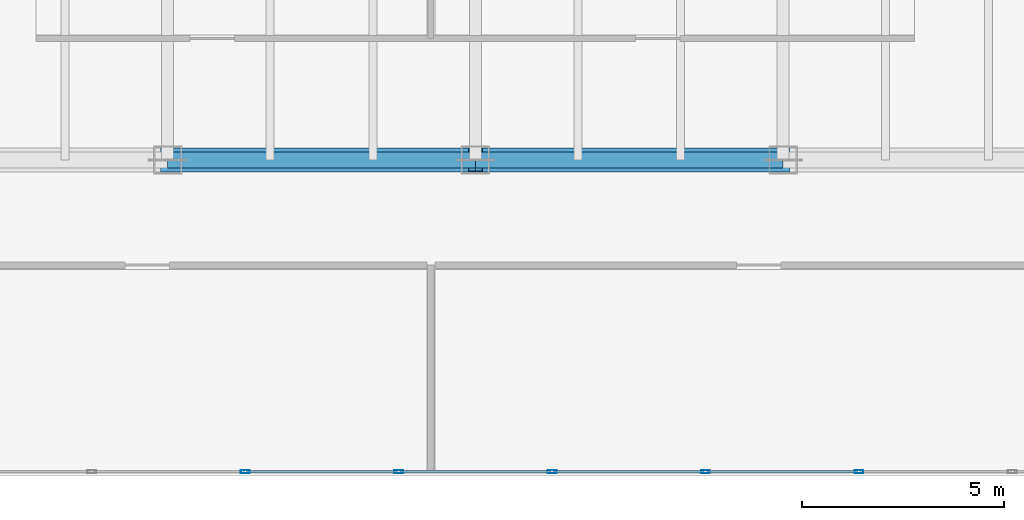
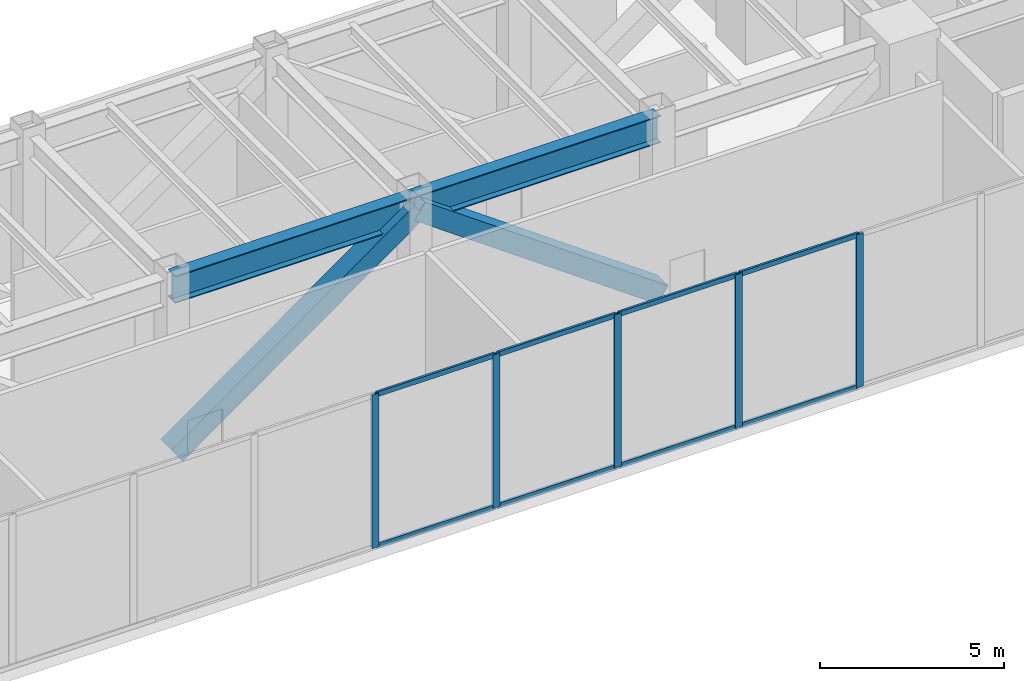
# One storey, part 8 of 35: 15 members, 2 beams, 1 element without a shape of its own.
"""IFC4 building model written with IfcOpenShell, lengths in metres."""

import ifcopenshell
import ifcopenshell.guid

model = None  # the IFC model being written
_history = None  # IfcOwnerHistory: only IFC2X3 demands one
_inside = {}  # id of a spatial element -> (the spatial element, [elements in it])
_under = {}  # id of a project, library or spatial element -> (it, [spatial elements below it])
_declared = {}  # id of a project -> (the project, [libraries it declares])
_typed = {}  # id of a type object -> (the type object, [elements of that type])
_made_of = {}  # id of a material, layer set ... -> (it, [elements and type objects made of it])


def new_model(schema):
    """Start an empty IFC model of exactly this schema.

    Asked for "IFC4X3", IfcOpenShell would pick the latest addendum, in which some entities
    have other attributes; the version numbers below select the first issue.
    IFC2X3 requires an IfcOwnerHistory on every rooted entity: one is made here for all.
    """
    global model, _history
    if schema == "IFC4X3":
        model = ifcopenshell.file(schema_version=(4, 3, 0, 0))
    else:
        model = ifcopenshell.file(schema=schema)
    _inside.clear()
    _under.clear()
    _declared.clear()
    _typed.clear()
    _made_of.clear()
    _history = None
    if model.schema == "IFC2X3":
        org = make("IfcOrganization", Name="unknown")
        user = make(
            "IfcPersonAndOrganization",
            ThePerson=make("IfcPerson", FamilyName="unknown"),
            TheOrganization=org,
        )
        app = make(
            "IfcApplication",
            ApplicationDeveloper=org,
            Version="unknown",
            ApplicationFullName="unknown",
            ApplicationIdentifier="unknown",
        )
        _history = make(
            "IfcOwnerHistory",
            OwningUser=user,
            OwningApplication=app,
            ChangeAction="ADDED",
            CreationDate=0,
        )
    return model


def make(cls, **values):
    """One entity of the class cls with the attributes given. An attribute that is None is left unset."""
    return model.create_entity(
        cls, **{name: value for name, value in values.items() if value is not None}
    )


def rooted(cls, **values):
    """An entity with a GlobalId (a new one), such as an element, a storey or a relation."""
    return make(cls, GlobalId=ifcopenshell.guid.new(), OwnerHistory=_history, **values)


def si_unit(unit_type, name, prefix=None):
    """IfcSIUnit, for example si_unit("LENGTHUNIT", "METRE", prefix="MILLI")."""
    return make("IfcSIUnit", UnitType=unit_type, Prefix=prefix, Name=name)


def assignment(units):
    """IfcUnitAssignment: the units of a project."""
    return None if units is None else make("IfcUnitAssignment", Units=units)


def point(xyz):
    """IfcCartesianPoint."""
    return None if xyz is None else make("IfcCartesianPoint", Coordinates=xyz)


def direction(xyz):
    """IfcDirection."""
    return None if xyz is None else make("IfcDirection", DirectionRatios=xyz)


def frame(location, z_axis=None, x_axis=None):
    """IfcAxis2Placement3D, a coordinate frame: its origin and axes. An axis left out is left unset."""
    return make(
        "IfcAxis2Placement3D",
        Location=point(location),
        Axis=direction(z_axis),
        RefDirection=direction(x_axis),
    )


def frame_2d(location, x_axis=None):
    """IfcAxis2Placement2D, a coordinate frame in the plane: its origin and x axis."""
    return make(
        "IfcAxis2Placement2D", Location=point(location), RefDirection=direction(x_axis)
    )


def origin():
    """The frame at (0, 0, 0) with its axes left unset."""
    return frame((0.0, 0.0, 0.0))


def origin_2d():
    """The frame at (0, 0) in the plane with its x axis left unset."""
    return frame_2d((0.0, 0.0))


def place(relative_to, where):
    """IfcLocalPlacement: puts the frame where relative to a parent placement (None: the world)."""
    return make(
        "IfcLocalPlacement", PlacementRelTo=relative_to, RelativePlacement=where
    )


def context(
    kind, dimensions, precision=None, world=None, true_north=None, identifier=None
):
    """IfcGeometricRepresentationContext, for example the 3D "Model" context."""
    return make(
        "IfcGeometricRepresentationContext",
        ContextIdentifier=identifier,
        ContextType=kind,
        CoordinateSpaceDimension=dimensions,
        Precision=precision,
        WorldCoordinateSystem=world,
        TrueNorth=true_north,
    )


def subcontext(parent, identifier, kind, view, scale=None):
    """IfcGeometricRepresentationSubContext, for example "Body" below "Model"."""
    return make(
        "IfcGeometricRepresentationSubContext",
        ContextIdentifier=identifier,
        ContextType=kind,
        ParentContext=parent,
        TargetScale=scale,
        TargetView=view,
    )


def project(units=None, contexts=None):
    """IfcProject with its units and contexts."""
    return rooted(
        "IfcProject",
        Name="project",
        RepresentationContexts=contexts,
        UnitsInContext=assignment(units),
    )


def spatial(cls, under=None, at=None, **own):
    """A site, building, storey or space (cls), placed at a placement, below another one or the project."""
    s = rooted(cls, ObjectPlacement=at, **own)
    if under is not None:
        _under.setdefault(under.id(), (under, []))[1].append(s)
    return s


def profile(cls, at=None, kind="AREA", **sizes):
    """A parametric profile (cls). Its sizes go by their IFC names, for example OverallWidth=200.0."""
    return make(cls, ProfileType=kind, Position=at, **sizes)


def hollow_rectangle(**sizes):
    """IfcRectangleHollowProfileDef."""
    return profile("IfcRectangleHollowProfileDef", **sizes)


def i_section(**sizes):
    """IfcIShapeProfileDef."""
    return profile("IfcIShapeProfileDef", **sizes)


def extrude(swept, where, along, depth):
    """IfcExtrudedAreaSolid: the profile swept, set in the frame where, extruded along a direction by depth."""
    return make(
        "IfcExtrudedAreaSolid",
        SweptArea=swept,
        Position=where,
        ExtrudedDirection=direction(along),
        Depth=depth,
    )


def shape(context_of_items, identifier, shape_type, items):
    """IfcShapeRepresentation: the items that make up one representation, for example the "Body"."""
    return make(
        "IfcShapeRepresentation",
        ContextOfItems=context_of_items,
        RepresentationIdentifier=identifier,
        RepresentationType=shape_type,
        Items=items,
    )


def source(mapping_origin, context_of_items, identifier, shape_type, items):
    """IfcRepresentationMap: a shape defined once, which mapped items show again and again."""
    return make(
        "IfcRepresentationMap",
        MappingOrigin=mapping_origin,
        MappedRepresentation=shape(context_of_items, identifier, shape_type, items),
    )


def transform(
    local_origin,
    x_axis=None,
    y_axis=None,
    z_axis=None,
    scale=None,
    scale2=None,
    scale3=None,
    uniform=True,
):
    """IfcCartesianTransformationOperator3D, or its non-uniform kind. x_axis, y_axis, z_axis: its Axis1, 2, 3."""
    if uniform:
        return make(
            "IfcCartesianTransformationOperator3D",
            Axis1=direction(x_axis),
            Axis2=direction(y_axis),
            LocalOrigin=point(local_origin),
            Scale=scale,
            Axis3=direction(z_axis),
        )
    return make(
        "IfcCartesianTransformationOperator3DnonUniform",
        Axis1=direction(x_axis),
        Axis2=direction(y_axis),
        LocalOrigin=point(local_origin),
        Scale=scale,
        Axis3=direction(z_axis),
        Scale2=scale2,
        Scale3=scale3,
    )


def mapped(mapping_source, mapping_target):
    """IfcMappedItem: shows the shape of a source again, moved by a transform."""
    return make(
        "IfcMappedItem", MappingSource=mapping_source, MappingTarget=mapping_target
    )


def material(Name=None, Category=None):
    """IfcMaterial."""
    return make("IfcMaterial", Name=Name, Category=Category)


def layer(
    of_material, thickness, ventilated=None, Name=None, Category=None, Priority=None
):
    """IfcMaterialLayer: one layer of a wall or slab, of a material (None: an air gap)."""
    return make(
        "IfcMaterialLayer",
        Material=of_material,
        LayerThickness=thickness,
        IsVentilated=ventilated,
        Name=Name,
        Category=Category,
        Priority=Priority,
    )


def layer_set(layers, Name=None):
    """IfcMaterialLayerSet."""
    return make("IfcMaterialLayerSet", MaterialLayers=layers, LayerSetName=Name)


def material_profile(
    of_material, cross_section, Name=None, Category=None, Priority=None
):
    """IfcMaterialProfile: a cross section and its material."""
    return make(
        "IfcMaterialProfile",
        Name=Name,
        Material=of_material,
        Profile=cross_section,
        Priority=Priority,
        Category=Category,
    )


def profile_set(profiles, Name=None, composite=None):
    """IfcMaterialProfileSet."""
    return make(
        "IfcMaterialProfileSet",
        Name=Name,
        MaterialProfiles=profiles,
        CompositeProfile=composite,
    )


def made_of(thing, what):
    """Note that an element or type object is made of a material, layer set ...; save() writes the relation."""
    if what is not None:
        _made_of.setdefault(what.id(), (what, []))[1].append(thing)
    return thing


def type_object(cls, material=None, **own):
    """A type object (cls), such as IfcWallType, which elements share."""
    return made_of(rooted(cls, **own), material)


def type_shapes(of_type, sources):
    """Give a type object the sources (RepresentationMaps) that its elements show as mapped items."""
    of_type.RepresentationMaps = sources


def element(
    cls,
    number,
    at=None,
    inside=None,
    cuts=None,
    type_object=None,
    material=None,
    context=None,
    identifier="Body",
    shape_type=None,
    held_by="IfcProductDefinitionShape",
    body=None,
    shapes=None,
    **own,
):
    """One element of the class cls, such as IfcWall. Its Tag is "e" and its number.

    at: its placement. inside: the storey or other place that contains it. cuts: it is an
    opening in that element (IfcRelVoidsElement). A single representation is given by context,
    identifier, shape_type and body (its items); several are given by shapes. held_by: the class
    of the entity that holds the representations. save() writes the other relations.
    """
    e = rooted(cls, Tag="e%d" % number, ObjectPlacement=at, **own)
    if body is not None:
        shapes = [shape(context, identifier, shape_type, body)]
    if shapes is not None:
        e.Representation = make(held_by, Representations=shapes)
    if inside is not None:
        _inside.setdefault(inside.id(), (inside, []))[1].append(e)
    if cuts is not None:
        rooted(
            "IfcRelVoidsElement", RelatingBuildingElement=cuts, RelatedOpeningElement=e
        )
    if type_object is not None:
        _typed.setdefault(type_object.id(), (type_object, []))[1].append(e)
    return made_of(e, material)


def aggregate(whole, parts):
    """IfcRelAggregates: a whole, such as a stair, and the parts it consists of."""
    return rooted("IfcRelAggregates", RelatingObject=whole, RelatedObjects=parts)


def save(model, path):
    """Write the relations noted so far, then the file.

    IfcRelAggregates (storeys below a building ...), IfcRelContainedInSpatialStructure (elements
    in a storey), IfcRelDefinesByType, IfcRelAssociatesMaterial and IfcRelDeclares: one each for
    every whole, place, type object, material and project.
    """
    for whole, parts in _under.values():
        aggregate(whole, parts)
    for where, things in _inside.values():
        rooted(
            "IfcRelContainedInSpatialStructure",
            RelatedElements=things,
            RelatingStructure=where,
        )
    for kind, things in _typed.values():
        rooted("IfcRelDefinesByType", RelatedObjects=things, RelatingType=kind)
    for what, things in _made_of.values():
        rooted("IfcRelAssociatesMaterial", RelatedObjects=things, RelatingMaterial=what)
    for by, libraries in _declared.values():
        rooted("IfcRelDeclares", RelatingContext=by, RelatedDefinitions=libraries)
    model.write(path)


model = new_model("IFC4")

# Units and contexts
model_context = context("Model", 3, precision=1e-05, world=origin(), true_north=direction((0.0, 1.0)))
body_context = subcontext(model_context, "Body", "Model", "MODEL_VIEW")
ifc_project = project(units=[si_unit("LENGTHUNIT", "METRE"), si_unit("AREAUNIT", "SQUARE_METRE"), si_unit("VOLUMEUNIT", "CUBIC_METRE"), si_unit("PLANEANGLEUNIT", "RADIAN"), si_unit("MASSUNIT", "GRAM", prefix="KILO")], contexts=[model_context])

# Site, building, storey
site_placement = place(None, origin())
site = spatial("IfcSite", under=ifc_project, at=site_placement, CompositionType="ELEMENT")
building_placement = place(site_placement, origin())
building = spatial("IfcBuilding", under=site, at=building_placement, Name="Haelvirn Gate Laboratories", CompositionType="ELEMENT")
storey_placement = place(building_placement, frame((0.0, 0.0, 19.800048828125)))
storey = spatial("IfcBuildingStorey", under=building, at=storey_placement, Name="L05", CompositionType="ELEMENT", Elevation=19.800048828125)

# Beams
ifc_material_1 = material(Name="Steel SM420", Category="steel")
ifc_material_profile_1 = material_profile(ifc_material_1, i_section(OverallWidth=0.39990234375, OverallDepth=0.89990234375, WebThickness=0.01904296875, FlangeThickness=0.031982421875, at=origin_2d()), Name="H-900x400x19x32")
ifc_profile_set_1 = profile_set([ifc_material_profile_1], Name="Steel SM420")
beam_type = type_object("IfcBeamType", Name="BM-TG-900", PredefinedType="BEAM", material=ifc_profile_set_1)
shared_shape_1 = source(origin(), body_context, "Body", "SweptSolid", [
    extrude(i_section(OverallWidth=0.39990234375, OverallDepth=0.89990234375, WebThickness=0.01904296875, FlangeThickness=0.031982421875, at=origin_2d()), origin(), (0.0, 0.0, 1.0), 7.60009765625),
])
beam_1_placement = place(storey_placement, frame((37.39990234375, 7.0, 4.6298828125), z_axis=(1.0, 0.0, 0.0), x_axis=(0.0, 1.0, 0.0)))
element("IfcBeam", 1, at=beam_1_placement, inside=storey, type_object=beam_type, Name="L05 Primary Girder Y7.0 (37.4-45.0)", PredefinedType="BEAM", context=body_context, shape_type="MappedRepresentation", body=[
    mapped(shared_shape_1, transform((0.0, 0.0, 0.0), scale=1.0)),
])
shared_shape_2 = source(origin(), body_context, "Body", "SweptSolid", [
    extrude(i_section(OverallWidth=0.39990234375, OverallDepth=0.89990234375, WebThickness=0.01904296875, FlangeThickness=0.031982421875, at=origin_2d()), origin(), (0.0, 0.0, 1.0), 7.599853515625),
])
type_shapes(beam_type, [shared_shape_1, shared_shape_2])
beam_2_placement = place(storey_placement, frame((29.800048828125, 7.0, 4.6298828125), z_axis=(1.0, 0.0, 0.0), x_axis=(0.0, 1.0, 0.0)))
element("IfcBeam", 2, at=beam_2_placement, inside=storey, type_object=beam_type, Name="L05 Primary Girder Y7.0 (29.8-37.4)", PredefinedType="BEAM", context=body_context, shape_type="MappedRepresentation", body=[
    mapped(shared_shape_2, transform((0.0, 0.0, 0.0), scale=1.0)),
])

# Members
ifc_material_profile_2 = material_profile(ifc_material_1, hollow_rectangle(XDim=0.60009765625, YDim=0.60009765625, WallThickness=0.028076171875, at=origin_2d()), Name="BOX-600x600x28")
ifc_profile_set_2 = profile_set([ifc_material_profile_2], Name="Steel SM420")
member_type_1 = type_object("IfcMemberType", Name="MEM-TRUSS-DIAG", PredefinedType="BRACE", material=ifc_profile_set_2)
shared_shape_3 = source(origin(), body_context, "Body", "SweptSolid", [
    extrude(hollow_rectangle(XDim=0.60009765625, YDim=0.60009765625, WallThickness=0.028076171875, at=origin_2d()), origin(), (0.0, 0.0, 1.0), 9.340576171875),
])
member_1_placement = place(storey_placement, frame((37.39990234375, 7.0, 4.6298828125), z_axis=(0.813668121692, 0.0, -0.581329672167), x_axis=(0.0, 1.0, 0.0)))
element("IfcMember", 3, at=member_1_placement, inside=storey, type_object=member_type_1, Name="L05 Portal Transfer Truss Diagonal Y7.0-3", PredefinedType="BRACE", context=body_context, shape_type="MappedRepresentation", body=[
    mapped(shared_shape_3, transform((0.0, 0.0, 0.0), scale=1.0)),
])
shared_shape_4 = source(origin(), body_context, "Body", "SweptSolid", [
    extrude(hollow_rectangle(XDim=0.60009765625, YDim=0.60009765625, WallThickness=0.028076171875, at=origin_2d()), origin(), (0.0, 0.0, 1.0), 9.34033203125),
])
type_shapes(member_type_1, [shared_shape_3, shared_shape_4])
member_2_placement = place(storey_placement, frame((29.800048828125, 7.0, -0.800048828125), z_axis=(0.81365928831, 0.0, 0.581342035764), x_axis=(0.0, 1.0, 0.0)))
element("IfcMember", 4, at=member_2_placement, inside=storey, type_object=member_type_1, Name="L05 Portal Transfer Truss Diagonal Y7.0-2", PredefinedType="BRACE", context=body_context, shape_type="MappedRepresentation", body=[
    mapped(shared_shape_4, transform((0.0, 0.0, 0.0), scale=1.0)),
])

# Curtain wall, members
ifc_material_2 = material(Name="Anodised bronze unitised aluminium & triple low-E glass", Category="aluminium")
ifc_layer = layer(ifc_material_2, 0.18798828125, Name="CW-SYS-1")
ifc_layer_set = layer_set([ifc_layer], Name="Anodised bronze unitised aluminium & triple low-E glass")
curtain_wall_type = type_object("IfcCurtainWallType", Name="CW-SYS-1", PredefinedType="NOTDEFINED", material=ifc_layer_set)
curtain_wall_placement = place(storey_placement, origin())
curtain_wall = element("IfcCurtainWall", 5, at=curtain_wall_placement, inside=storey, type_object=curtain_wall_type, Name="L05 Unitised Curtain Wall CW-L05-P0-E00-1", PredefinedType="NOTDEFINED")
ifc_material_3 = material(Name="Extruded aluminium 6063-T6 (anodised bronze)", Category="aluminium")
ifc_material_profile_3 = material_profile(ifc_material_3, hollow_rectangle(XDim=0.080078125, YDim=0.219970703125, WallThickness=0.006103515625, at=origin_2d()), Name="CWM-220x80x6")
ifc_profile_set_3 = profile_set([ifc_material_profile_3], Name="Extruded aluminium 6063-T6 (anodised bronze)")
member_type_2 = type_object("IfcMemberType", Name="CWM-T220", PredefinedType="MULLION", material=ifc_profile_set_3)
shared_shape_5 = source(origin(), body_context, "Body", "SweptSolid", [
    extrude(hollow_rectangle(XDim=0.080078125, YDim=0.219970703125, WallThickness=0.006103515625, at=origin_2d()), origin(), (0.0, 0.0, 1.0), 5.079833984375),
])
type_shapes(member_type_2, [shared_shape_5])
member_3_placement = place(storey_placement, frame((31.7158203125, -0.699951171875, 0.0), z_axis=(0.0, 0.0, 1.0), x_axis=(0.0, 1.0, 0.0)))
member_3 = element("IfcMember", 6, at=member_3_placement, type_object=member_type_2, Name="CW1 mullion 9", PredefinedType="MULLION", context=body_context, shape_type="MappedRepresentation", body=[
    mapped(shared_shape_5, transform((0.0, 0.0, 0.0), scale=1.0)),
])
member_4_placement = place(storey_placement, frame((35.50537109375, -0.699951171875, 0.0), z_axis=(0.0, 0.0, 1.0), x_axis=(0.0, 1.0, 0.0)))
member_4 = element("IfcMember", 7, at=member_4_placement, type_object=member_type_2, Name="CW1 mullion 10", PredefinedType="MULLION", context=body_context, shape_type="MappedRepresentation", body=[
    mapped(shared_shape_5, transform((0.0, 0.0, 0.0), scale=1.0)),
])
member_5_placement = place(storey_placement, frame((39.294677734375, -0.699951171875, 0.0), z_axis=(0.0, 0.0, 1.0), x_axis=(0.0, 1.0, 0.0)))
member_5 = element("IfcMember", 8, at=member_5_placement, type_object=member_type_2, Name="CW1 mullion 11", PredefinedType="MULLION", context=body_context, shape_type="MappedRepresentation", body=[
    mapped(shared_shape_5, transform((0.0, 0.0, 0.0), scale=1.0)),
])
member_6_placement = place(storey_placement, frame((43.084228515625, -0.699951171875, 0.0), z_axis=(0.0, 0.0, 1.0), x_axis=(0.0, 1.0, 0.0)))
member_6 = element("IfcMember", 9, at=member_6_placement, type_object=member_type_2, Name="CW1 mullion 12", PredefinedType="MULLION", context=body_context, shape_type="MappedRepresentation", body=[
    mapped(shared_shape_5, transform((0.0, 0.0, 0.0), scale=1.0)),
])
member_7_placement = place(storey_placement, frame((46.873779296875, -0.699951171875, 0.0), z_axis=(0.0, 0.0, 1.0), x_axis=(0.0, 1.0, 0.0)))
member_7 = element("IfcMember", 10, at=member_7_placement, type_object=member_type_2, Name="CW1 mullion 13", PredefinedType="MULLION", context=body_context, shape_type="MappedRepresentation", body=[
    mapped(shared_shape_5, transform((0.0, 0.0, 0.0), scale=1.0)),
])
ifc_material_profile_4 = material_profile(ifc_material_3, hollow_rectangle(XDim=0.070068359375, YDim=0.159912109375, WallThickness=0.0048828125, at=origin_2d()), Name="CWT-160x70x5")
ifc_profile_set_4 = profile_set([ifc_material_profile_4], Name="Extruded aluminium 6063-T6 (anodised bronze)")
member_type_3 = type_object("IfcMemberType", Name="CWT-T160", PredefinedType="USERDEFINED", material=ifc_profile_set_4)
shared_shape_6 = source(origin(), body_context, "Body", "SweptSolid", [
    extrude(hollow_rectangle(XDim=0.070068359375, YDim=0.159912109375, WallThickness=0.0048828125, at=origin_2d()), origin(), (0.0, 0.0, 1.0), 3.70947265625),
])
type_shapes(member_type_3, [shared_shape_6])
member_8_placement = place(storey_placement, frame((31.755859375, -0.699951171875, 0.034912109375), z_axis=(1.0, 0.0, 0.0), x_axis=(0.0, 1.0, 0.0)))
member_8 = element("IfcMember", 11, at=member_8_placement, type_object=member_type_3, Name="CW1 transom 9.1", ObjectType="TRANSOM", PredefinedType="USERDEFINED", context=body_context, shape_type="MappedRepresentation", body=[
    mapped(shared_shape_6, transform((0.0, 0.0, 0.0), scale=1.0)),
])
member_9_placement = place(storey_placement, frame((31.755859375, -0.699951171875, 5.044921875), z_axis=(1.0, 0.0, 0.0), x_axis=(0.0, 1.0, 0.0)))
member_9 = element("IfcMember", 12, at=member_9_placement, type_object=member_type_3, Name="CW1 transom 9.2", ObjectType="TRANSOM", PredefinedType="USERDEFINED", context=body_context, shape_type="MappedRepresentation", body=[
    mapped(shared_shape_6, transform((0.0, 0.0, 0.0), scale=1.0)),
])
member_10_placement = place(storey_placement, frame((35.545166015625, -0.699951171875, 0.034912109375), z_axis=(1.0, 0.0, 0.0), x_axis=(0.0, 1.0, 0.0)))
member_10 = element("IfcMember", 13, at=member_10_placement, type_object=member_type_3, Name="CW1 transom 10.1", ObjectType="TRANSOM", PredefinedType="USERDEFINED", context=body_context, shape_type="MappedRepresentation", body=[
    mapped(shared_shape_6, transform((0.0, 0.0, 0.0), scale=1.0)),
])
member_11_placement = place(storey_placement, frame((35.545166015625, -0.699951171875, 5.044921875), z_axis=(1.0, 0.0, 0.0), x_axis=(0.0, 1.0, 0.0)))
member_11 = element("IfcMember", 14, at=member_11_placement, type_object=member_type_3, Name="CW1 transom 10.2", ObjectType="TRANSOM", PredefinedType="USERDEFINED", context=body_context, shape_type="MappedRepresentation", body=[
    mapped(shared_shape_6, transform((0.0, 0.0, 0.0), scale=1.0)),
])
member_12_placement = place(storey_placement, frame((39.334716796875, -0.699951171875, 0.034912109375), z_axis=(1.0, 0.0, 0.0), x_axis=(0.0, 1.0, 0.0)))
member_12 = element("IfcMember", 15, at=member_12_placement, type_object=member_type_3, Name="CW1 transom 11.1", ObjectType="TRANSOM", PredefinedType="USERDEFINED", context=body_context, shape_type="MappedRepresentation", body=[
    mapped(shared_shape_6, transform((0.0, 0.0, 0.0), scale=1.0)),
])
member_13_placement = place(storey_placement, frame((39.334716796875, -0.699951171875, 5.044921875), z_axis=(1.0, 0.0, 0.0), x_axis=(0.0, 1.0, 0.0)))
member_13 = element("IfcMember", 16, at=member_13_placement, type_object=member_type_3, Name="CW1 transom 11.2", ObjectType="TRANSOM", PredefinedType="USERDEFINED", context=body_context, shape_type="MappedRepresentation", body=[
    mapped(shared_shape_6, transform((0.0, 0.0, 0.0), scale=1.0)),
])
member_14_placement = place(storey_placement, frame((43.124267578125, -0.699951171875, 0.034912109375), z_axis=(1.0, 0.0, 0.0), x_axis=(0.0, 1.0, 0.0)))
member_14 = element("IfcMember", 17, at=member_14_placement, type_object=member_type_3, Name="CW1 transom 12.1", ObjectType="TRANSOM", PredefinedType="USERDEFINED", context=body_context, shape_type="MappedRepresentation", body=[
    mapped(shared_shape_6, transform((0.0, 0.0, 0.0), scale=1.0)),
])
member_15_placement = place(storey_placement, frame((43.124267578125, -0.699951171875, 5.044921875), z_axis=(1.0, 0.0, 0.0), x_axis=(0.0, 1.0, 0.0)))
member_15 = element("IfcMember", 18, at=member_15_placement, type_object=member_type_3, Name="CW1 transom 12.2", ObjectType="TRANSOM", PredefinedType="USERDEFINED", context=body_context, shape_type="MappedRepresentation", body=[
    mapped(shared_shape_6, transform((0.0, 0.0, 0.0), scale=1.0)),
])
aggregate(curtain_wall, [member_3, member_4, member_5, member_6, member_7, member_8, member_9, member_10, member_11, member_12, member_13, member_14, member_15])

save(model, "model.ifc")
